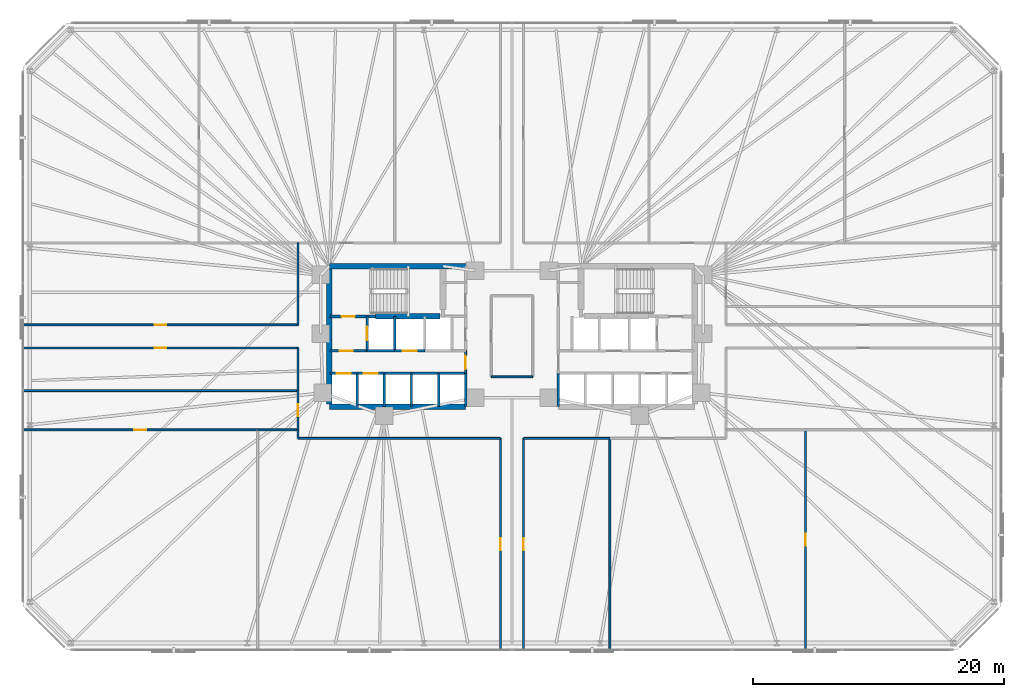
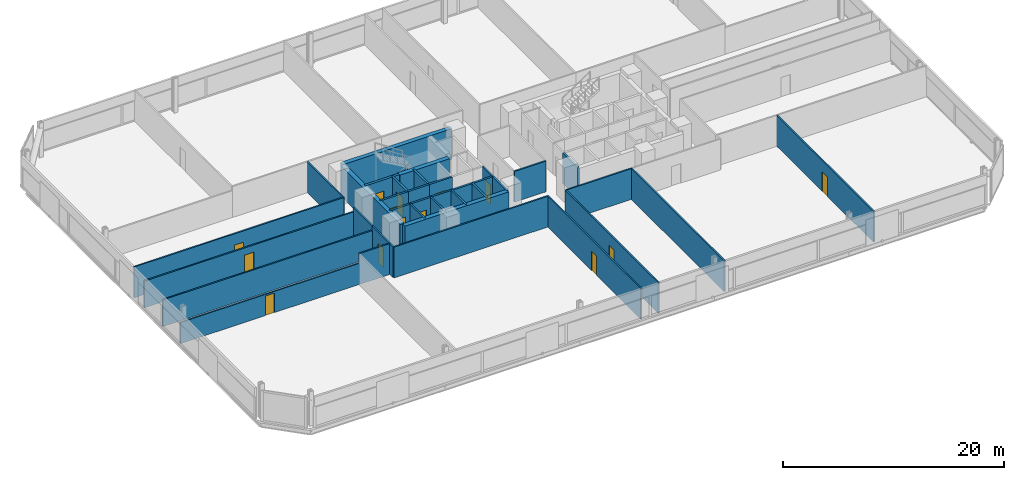
# One storey, part 12 of 17: 34 walls, 14 doors, 14 openings.
"""IFC4 building model written with IfcOpenShell, lengths in metres."""

import ifcopenshell
import ifcopenshell.guid

model = None  # the IFC model being written
_history = None  # IfcOwnerHistory: only IFC2X3 demands one
_inside = {}  # id of a spatial element -> (the spatial element, [elements in it])
_under = {}  # id of a project, library or spatial element -> (it, [spatial elements below it])
_declared = {}  # id of a project -> (the project, [libraries it declares])
_typed = {}  # id of a type object -> (the type object, [elements of that type])
_made_of = {}  # id of a material, layer set ... -> (it, [elements and type objects made of it])


def new_model(schema):
    """Start an empty IFC model of exactly this schema.

    Asked for "IFC4X3", IfcOpenShell would pick the latest addendum, in which some entities
    have other attributes; the version numbers below select the first issue.
    IFC2X3 requires an IfcOwnerHistory on every rooted entity: one is made here for all.
    """
    global model, _history
    if schema == "IFC4X3":
        model = ifcopenshell.file(schema_version=(4, 3, 0, 0))
    else:
        model = ifcopenshell.file(schema=schema)
    _inside.clear()
    _under.clear()
    _declared.clear()
    _typed.clear()
    _made_of.clear()
    _history = None
    if model.schema == "IFC2X3":
        org = make("IfcOrganization", Name="unknown")
        user = make(
            "IfcPersonAndOrganization",
            ThePerson=make("IfcPerson", FamilyName="unknown"),
            TheOrganization=org,
        )
        app = make(
            "IfcApplication",
            ApplicationDeveloper=org,
            Version="unknown",
            ApplicationFullName="unknown",
            ApplicationIdentifier="unknown",
        )
        _history = make(
            "IfcOwnerHistory",
            OwningUser=user,
            OwningApplication=app,
            ChangeAction="ADDED",
            CreationDate=0,
        )
    return model


def make(cls, **values):
    """One entity of the class cls with the attributes given. An attribute that is None is left unset."""
    return model.create_entity(
        cls, **{name: value for name, value in values.items() if value is not None}
    )


def rooted(cls, **values):
    """An entity with a GlobalId (a new one), such as an element, a storey or a relation."""
    return make(cls, GlobalId=ifcopenshell.guid.new(), OwnerHistory=_history, **values)


def si_unit(unit_type, name, prefix=None):
    """IfcSIUnit, for example si_unit("LENGTHUNIT", "METRE", prefix="MILLI")."""
    return make("IfcSIUnit", UnitType=unit_type, Prefix=prefix, Name=name)


def assignment(units):
    """IfcUnitAssignment: the units of a project."""
    return None if units is None else make("IfcUnitAssignment", Units=units)


def point(xyz):
    """IfcCartesianPoint."""
    return None if xyz is None else make("IfcCartesianPoint", Coordinates=xyz)


def direction(xyz):
    """IfcDirection."""
    return None if xyz is None else make("IfcDirection", DirectionRatios=xyz)


def frame(location, z_axis=None, x_axis=None):
    """IfcAxis2Placement3D, a coordinate frame: its origin and axes. An axis left out is left unset."""
    return make(
        "IfcAxis2Placement3D",
        Location=point(location),
        Axis=direction(z_axis),
        RefDirection=direction(x_axis),
    )


def frame_2d(location, x_axis=None):
    """IfcAxis2Placement2D, a coordinate frame in the plane: its origin and x axis."""
    return make(
        "IfcAxis2Placement2D", Location=point(location), RefDirection=direction(x_axis)
    )


def origin():
    """The frame at (0, 0, 0) with its axes left unset."""
    return frame((0.0, 0.0, 0.0))


def place(relative_to, where):
    """IfcLocalPlacement: puts the frame where relative to a parent placement (None: the world)."""
    return make(
        "IfcLocalPlacement", PlacementRelTo=relative_to, RelativePlacement=where
    )


def context(
    kind, dimensions, precision=None, world=None, true_north=None, identifier=None
):
    """IfcGeometricRepresentationContext, for example the 3D "Model" context."""
    return make(
        "IfcGeometricRepresentationContext",
        ContextIdentifier=identifier,
        ContextType=kind,
        CoordinateSpaceDimension=dimensions,
        Precision=precision,
        WorldCoordinateSystem=world,
        TrueNorth=true_north,
    )


def subcontext(parent, identifier, kind, view, scale=None):
    """IfcGeometricRepresentationSubContext, for example "Body" below "Model"."""
    return make(
        "IfcGeometricRepresentationSubContext",
        ContextIdentifier=identifier,
        ContextType=kind,
        ParentContext=parent,
        TargetScale=scale,
        TargetView=view,
    )


def project(units=None, contexts=None):
    """IfcProject with its units and contexts."""
    return rooted(
        "IfcProject",
        Name="project",
        RepresentationContexts=contexts,
        UnitsInContext=assignment(units),
    )


def spatial(cls, under=None, at=None, **own):
    """A site, building, storey or space (cls), placed at a placement, below another one or the project."""
    s = rooted(cls, ObjectPlacement=at, **own)
    if under is not None:
        _under.setdefault(under.id(), (under, []))[1].append(s)
    return s


def profile(cls, at=None, kind="AREA", **sizes):
    """A parametric profile (cls). Its sizes go by their IFC names, for example OverallWidth=200.0."""
    return make(cls, ProfileType=kind, Position=at, **sizes)


def rectangle(**sizes):
    """IfcRectangleProfileDef."""
    return profile("IfcRectangleProfileDef", **sizes)


def extrude(swept, where, along, depth):
    """IfcExtrudedAreaSolid: the profile swept, set in the frame where, extruded along a direction by depth."""
    return make(
        "IfcExtrudedAreaSolid",
        SweptArea=swept,
        Position=where,
        ExtrudedDirection=direction(along),
        Depth=depth,
    )


def shape(context_of_items, identifier, shape_type, items):
    """IfcShapeRepresentation: the items that make up one representation, for example the "Body"."""
    return make(
        "IfcShapeRepresentation",
        ContextOfItems=context_of_items,
        RepresentationIdentifier=identifier,
        RepresentationType=shape_type,
        Items=items,
    )


def material(Name=None, Category=None):
    """IfcMaterial."""
    return make("IfcMaterial", Name=Name, Category=Category)


def layer(
    of_material, thickness, ventilated=None, Name=None, Category=None, Priority=None
):
    """IfcMaterialLayer: one layer of a wall or slab, of a material (None: an air gap)."""
    return make(
        "IfcMaterialLayer",
        Material=of_material,
        LayerThickness=thickness,
        IsVentilated=ventilated,
        Name=Name,
        Category=Category,
        Priority=Priority,
    )


def layer_set(layers, Name=None):
    """IfcMaterialLayerSet."""
    return make("IfcMaterialLayerSet", MaterialLayers=layers, LayerSetName=Name)


def made_of(thing, what):
    """Note that an element or type object is made of a material, layer set ...; save() writes the relation."""
    if what is not None:
        _made_of.setdefault(what.id(), (what, []))[1].append(thing)
    return thing


def type_object(cls, material=None, **own):
    """A type object (cls), such as IfcWallType, which elements share."""
    return made_of(rooted(cls, **own), material)


def element(
    cls,
    number,
    at=None,
    inside=None,
    cuts=None,
    type_object=None,
    material=None,
    context=None,
    identifier="Body",
    shape_type=None,
    held_by="IfcProductDefinitionShape",
    body=None,
    shapes=None,
    **own,
):
    """One element of the class cls, such as IfcWall. Its Tag is "e" and its number.

    at: its placement. inside: the storey or other place that contains it. cuts: it is an
    opening in that element (IfcRelVoidsElement). A single representation is given by context,
    identifier, shape_type and body (its items); several are given by shapes. held_by: the class
    of the entity that holds the representations. save() writes the other relations.
    """
    e = rooted(cls, Tag="e%d" % number, ObjectPlacement=at, **own)
    if body is not None:
        shapes = [shape(context, identifier, shape_type, body)]
    if shapes is not None:
        e.Representation = make(held_by, Representations=shapes)
    if inside is not None:
        _inside.setdefault(inside.id(), (inside, []))[1].append(e)
    if cuts is not None:
        rooted(
            "IfcRelVoidsElement", RelatingBuildingElement=cuts, RelatedOpeningElement=e
        )
    if type_object is not None:
        _typed.setdefault(type_object.id(), (type_object, []))[1].append(e)
    return made_of(e, material)


def fill(opening, filler):
    """IfcRelFillsElement: the door or window that sits in an opening."""
    return rooted(
        "IfcRelFillsElement",
        RelatingOpeningElement=opening,
        RelatedBuildingElement=filler,
    )


def aggregate(whole, parts):
    """IfcRelAggregates: a whole, such as a stair, and the parts it consists of."""
    return rooted("IfcRelAggregates", RelatingObject=whole, RelatedObjects=parts)


def save(model, path):
    """Write the relations noted so far, then the file.

    IfcRelAggregates (storeys below a building ...), IfcRelContainedInSpatialStructure (elements
    in a storey), IfcRelDefinesByType, IfcRelAssociatesMaterial and IfcRelDeclares: one each for
    every whole, place, type object, material and project.
    """
    for whole, parts in _under.values():
        aggregate(whole, parts)
    for where, things in _inside.values():
        rooted(
            "IfcRelContainedInSpatialStructure",
            RelatedElements=things,
            RelatingStructure=where,
        )
    for kind, things in _typed.values():
        rooted("IfcRelDefinesByType", RelatedObjects=things, RelatingType=kind)
    for what, things in _made_of.values():
        rooted("IfcRelAssociatesMaterial", RelatedObjects=things, RelatingMaterial=what)
    for by, libraries in _declared.values():
        rooted("IfcRelDeclares", RelatingContext=by, RelatedDefinitions=libraries)
    model.write(path)


model = new_model("IFC4")

# Units and contexts
model_context = context("Model", 3, precision=1e-05, world=origin(), true_north=direction((0.0, 1.0)))
body_context = subcontext(model_context, "Body", "Model", "MODEL_VIEW")
ifc_project = project(units=[si_unit("LENGTHUNIT", "METRE"), si_unit("AREAUNIT", "SQUARE_METRE"), si_unit("VOLUMEUNIT", "CUBIC_METRE"), si_unit("PLANEANGLEUNIT", "RADIAN"), si_unit("MASSUNIT", "GRAM", prefix="KILO")], contexts=[model_context])

# Site, building, storey
site_placement = place(None, origin())
site = spatial("IfcSite", under=ifc_project, at=site_placement, CompositionType="ELEMENT")
building_placement = place(site_placement, origin())
building = spatial("IfcBuilding", under=site, at=building_placement, Name="Menara Jurai Vektor", CompositionType="ELEMENT")
storey_placement = place(building_placement, frame((0.0, 0.0, 75.0)))
storey = spatial("IfcBuildingStorey", under=building, at=storey_placement, Name="L18", CompositionType="ELEMENT", Elevation=75.0)

# Wall, opening, door
ifc_material_1 = material(Name="Concrete C40/50", Category="concrete")
ifc_layer_1 = layer(ifc_material_1, 0.25)
ifc_layer_set_1 = layer_set([ifc_layer_1], Name="Concrete C40/50")
wall_type_1 = type_object("IfcWallType", Name="INT-WALL-CORE-250", PredefinedType="STANDARD", material=ifc_layer_set_1)
wall_1_placement = place(storey_placement, frame((-14.5, 1.60009765625, 0.0), z_axis=(0.0, 0.0, 1.0), x_axis=(1.0, 0.0, 0.0)))
wall_1 = element("IfcWall", 1, at=wall_1_placement, inside=storey, type_object=wall_type_1, Name="Interior Wall IW-250 L18", PredefinedType="STANDARD", context=body_context, shape_type="SweptSolid", body=[
    extrude(rectangle(XDim=3.60009765625, YDim=0.25, at=frame_2d((1.800048828125, 0.0))), origin(), (0.0, 0.0, 1.0), 3.39990234375),
])
opening_1_placement = place(wall_1_placement, frame((0.919921875, 0.0, 0.0)))
opening_1 = element("IfcOpeningElement", 2, at=opening_1_placement, cuts=wall_1, Name="Opening D-L18-ST1", PredefinedType="OPENING", context=body_context, shape_type="SweptSolid", body=[
    extrude(rectangle(XDim=1.050048828125, YDim=2.14990234375, at=frame_2d((0.52490234375, 1.074951171875))), frame((0.0, 0.135009765625, 0.0), z_axis=(0.0, -1.0, 0.0), x_axis=(1.0, 0.0, 0.0)), (0.0, 0.0, 1.0), 0.27001953125),
])
ifc_material_2 = material(Name="Fire-Rated Steel Door", Category="steel")
door_type_1 = type_object("IfcDoorType", Name="DR-STAIR-1050", OperationType="NOTDEFINED", PredefinedType="DOOR", material=ifc_material_2)
door_1_placement = place(opening_1_placement, origin())
door_1 = element("IfcDoor", 3, at=door_1_placement, inside=storey, type_object=door_type_1, Name="Exit Stair ST1 Door L18", OperationType="SINGLE_SWING_RIGHT", OverallHeight=2.14990234375, OverallWidth=1.050048828125, PredefinedType="DOOR", context=body_context, shape_type="SweptSolid", body=[
    extrude(rectangle(XDim=1.050048828125, YDim=2.14990234375, at=frame_2d((0.52490234375, 1.074951171875))), frame((0.0, 0.02490234375, 0.0), z_axis=(0.0, -1.0, 0.0), x_axis=(1.0, 0.0, 0.0)), (0.0, 0.0, 1.0), 0.050048828125),
])
fill(opening_1, door_1)

wall_2_placement = place(storey_placement, frame((-11.550048828125, -1.14990234375, 0.0), z_axis=(0.0, 0.0, 1.0), x_axis=(0.0, 1.0, 0.0)))
wall_2 = element("IfcWall", 4, at=wall_2_placement, inside=storey, type_object=wall_type_1, Name="Interior Wall IW-250 L18", PredefinedType="STANDARD", context=body_context, shape_type="SweptSolid", body=[
    extrude(rectangle(XDim=2.75, YDim=0.199951171875, at=frame_2d((1.375, 0.0))), origin(), (0.0, 0.0, 1.0), 3.39990234375),
])
opening_2_placement = place(wall_2_placement, frame((0.824951171875, 0.0, 0.0)))
opening_2 = element("IfcOpeningElement", 5, at=opening_2_placement, cuts=wall_2, Name="Opening LD-L18-FL1", PredefinedType="OPENING", context=body_context, shape_type="SweptSolid", body=[
    extrude(rectangle(XDim=1.10009765625, YDim=2.14990234375, at=frame_2d((0.550048828125, 1.074951171875))), frame((0.0, 0.10986328125, 0.0), z_axis=(0.0, -1.0, 0.0), x_axis=(1.0, 0.0, 0.0)), (0.0, 0.0, 1.0), 0.219970703125),
])
ifc_material_3 = material(Name="Stainless Steel Sliding Lift Landing Door", Category="steel")
door_type_2 = type_object("IfcDoorType", Name="DR-LIFT-FIRE-1100", OperationType="NOTDEFINED", PredefinedType="DOOR", material=ifc_material_3)
door_2_placement = place(opening_2_placement, origin())
door_2 = element("IfcDoor", 6, at=door_2_placement, inside=storey, type_object=door_type_2, Name="Lift Landing Door FL1 L18", OperationType="SLIDING_TO_RIGHT", OverallHeight=2.14990234375, OverallWidth=1.10009765625, PredefinedType="DOOR", context=body_context, shape_type="SweptSolid", body=[
    extrude(rectangle(XDim=1.10009765625, YDim=2.14990234375, at=frame_2d((0.550048828125, 1.074951171875))), frame((0.0, 0.02490234375, 0.0), z_axis=(0.0, -1.0, 0.0), x_axis=(1.0, 0.0, 0.0)), (0.0, 0.0, 1.0), 0.050048828125),
])
fill(opening_2, door_2)

# Wall
wall_3_placement = place(storey_placement, frame((-9.35009765625, -1.14990234375, 0.0), z_axis=(0.0, 0.0, 1.0), x_axis=(0.0, 1.0, 0.0)))
element("IfcWall", 7, at=wall_3_placement, inside=storey, type_object=wall_type_1, Name="Interior Wall IW-250 L18", PredefinedType="STANDARD", context=body_context, shape_type="SweptSolid", body=[
    extrude(rectangle(XDim=2.75, YDim=0.199951171875, at=frame_2d((1.375, 0.0))), origin(), (0.0, 0.0, 1.0), 3.39990234375),
])

# Wall, opening, door
wall_4_placement = place(storey_placement, frame((-14.5, -1.14990234375, 0.0), z_axis=(0.0, 0.0, 1.0), x_axis=(1.0, 0.0, 0.0)))
wall_4 = element("IfcWall", 8, at=wall_4_placement, inside=storey, type_object=wall_type_1, Name="Interior Wall IW-250 L18", PredefinedType="STANDARD", context=body_context, shape_type="SweptSolid", body=[
    extrude(rectangle(XDim=2.949951171875, YDim=0.199951171875, at=frame_2d((1.47509765625, 0.0))), origin(), (0.0, 0.0, 1.0), 3.39990234375),
])
opening_3_placement = place(wall_4_placement, frame((0.75, 0.0, 0.0)))
opening_3 = element("IfcOpeningElement", 9, at=opening_3_placement, cuts=wall_4, Name="Opening D-L18-FFW", PredefinedType="OPENING", context=body_context, shape_type="SweptSolid", body=[
    extrude(rectangle(XDim=1.050048828125, YDim=2.179931640625, at=frame_2d((0.52490234375, 1.08984375))), frame((0.0, 0.10986328125, 0.0), z_axis=(0.0, -1.0, 0.0), x_axis=(1.0, 0.0, 0.0)), (0.0, 0.0, 1.0), 0.219970703125),
])
ifc_material_4 = material(Name="Fire-Rated Timber Door", Category="wood")
door_type_3 = type_object("IfcDoorType", Name="DR-LOBBY-1050", OperationType="NOTDEFINED", PredefinedType="DOOR", material=ifc_material_4)
door_3_placement = place(opening_3_placement, origin())
door_3 = element("IfcDoor", 10, at=door_3_placement, inside=storey, type_object=door_type_3, Name="Fire Lift Lobby Door W L18", OperationType="SINGLE_SWING_RIGHT", OverallHeight=2.179931640625, OverallWidth=1.050048828125, PredefinedType="DOOR", context=body_context, shape_type="SweptSolid", body=[
    extrude(rectangle(XDim=1.050048828125, YDim=2.179931640625, at=frame_2d((0.52490234375, 1.08984375))), frame((0.0, 0.02490234375, 0.0), z_axis=(0.0, -1.0, 0.0), x_axis=(1.0, 0.0, 0.0)), (0.0, 0.0, 1.0), 0.050048828125),
])
fill(opening_3, door_3)

# Wall
wall_5_placement = place(storey_placement, frame((-11.550048828125, -1.14990234375, 0.0), z_axis=(0.0, 0.0, 1.0), x_axis=(1.0, 0.0, 0.0)))
element("IfcWall", 11, at=wall_5_placement, inside=storey, type_object=wall_type_1, Name="Interior Wall IW-250 L18", PredefinedType="STANDARD", context=body_context, shape_type="SweptSolid", body=[
    extrude(rectangle(XDim=2.199951171875, YDim=0.199951171875, at=frame_2d((1.10009765625, 0.0))), origin(), (0.0, 0.0, 1.0), 3.39990234375),
])

# Wall, opening, door
ifc_material_5 = material(Name="Gypsum Fireboard Partition", Category="gypsum")
ifc_layer_2 = layer(ifc_material_5, 0.14990234375)
ifc_layer_set_2 = layer_set([ifc_layer_2], Name="Gypsum Fireboard Partition")
wall_type_2 = type_object("IfcWallType", Name="INT-WALL-CORR-150", PredefinedType="PARTITIONING", material=ifc_layer_set_2)
wall_6_placement = place(storey_placement, frame((-3.699951171875, -2.949951171875, 0.0), z_axis=(0.0, 0.0, 1.0), x_axis=(0.0, 1.0, 0.0)))
wall_6 = element("IfcWall", 12, at=wall_6_placement, inside=storey, type_object=wall_type_2, Name="Interior Wall IW-150 L18", PredefinedType="PARTITIONING", context=body_context, shape_type="SweptSolid", body=[
    extrude(rectangle(XDim=1.800048828125, YDim=0.14990234375, at=frame_2d((0.89990234375, 0.0))), origin(), (0.0, 0.0, 1.0), 3.39990234375),
])
opening_4_placement = place(wall_6_placement, frame((0.35009765625, 0.0, 0.0)))
opening_4 = element("IfcOpeningElement", 13, at=opening_4_placement, cuts=wall_6, Name="Opening D-L18-LLW", PredefinedType="OPENING", context=body_context, shape_type="SweptSolid", body=[
    extrude(rectangle(XDim=1.050048828125, YDim=2.179931640625, at=frame_2d((0.52490234375, 1.08984375))), frame((0.0, 0.0849609375, 0.0), z_axis=(0.0, -1.0, 0.0), x_axis=(1.0, 0.0, 0.0)), (0.0, 0.0, 1.0), 0.169921875),
])
door_4_placement = place(opening_4_placement, origin())
door_4 = element("IfcDoor", 14, at=door_4_placement, inside=storey, type_object=door_type_3, Name="Lift Lobby Corridor Door W L18", OperationType="SINGLE_SWING_LEFT", OverallHeight=2.179931640625, OverallWidth=1.050048828125, PredefinedType="DOOR", context=body_context, shape_type="SweptSolid", body=[
    extrude(rectangle(XDim=1.050048828125, YDim=2.179931640625, at=frame_2d((0.52490234375, 1.08984375))), frame((0.0, 0.02490234375, 0.0), z_axis=(0.0, -1.0, 0.0), x_axis=(1.0, 0.0, 0.0)), (0.0, 0.0, 1.0), 0.050048828125),
])
fill(opening_4, door_4)

# Walls
wall_7_placement = place(storey_placement, frame((-1.64990234375, -3.22998046875, 0.0), z_axis=(0.0, 0.0, 1.0), x_axis=(1.0, 0.0, 0.0)))
element("IfcWall", 15, at=wall_7_placement, inside=storey, type_object=wall_type_2, Name="Interior Wall IW-150 L18", PredefinedType="PARTITIONING", context=body_context, shape_type="SweptSolid", body=[
    extrude(rectangle(XDim=3.2998046875, YDim=0.14990234375, at=frame_2d((1.64990234375, 0.0))), origin(), (0.0, 0.0, 1.0), 3.39990234375),
])
wall_8_placement = place(storey_placement, frame((-17.05908203125, -8.1298828125, 0.0), z_axis=(0.0, 0.0, 1.0), x_axis=(0.0, 1.0, 0.0)))
element("IfcWall", 16, at=wall_8_placement, inside=storey, type_object=wall_type_2, Name="Interior Wall IW-150 L18", PredefinedType="PARTITIONING", context=body_context, shape_type="SweptSolid", body=[
    extrude(rectangle(XDim=0.679931640625, YDim=0.14990234375, at=frame_2d((0.33984375, 0.0))), origin(), (0.0, 0.0, 1.0), 3.39990234375),
])
wall_9_placement = place(storey_placement, frame((-17.05908203125, -8.1298828125, 0.0), z_axis=(0.0, 0.0, 1.0), x_axis=(1.0, 0.0, 0.0)))
element("IfcWall", 17, at=wall_9_placement, inside=storey, type_object=wall_type_2, Name="Interior Wall IW-150 L18", PredefinedType="PARTITIONING", context=body_context, shape_type="SweptSolid", body=[
    extrude(rectangle(XDim=16.13916015625, YDim=0.14990234375, at=frame_2d((8.069580078125, 0.0))), origin(), (0.0, 0.0, 1.0), 3.39990234375),
])

# Wall, opening, door
wall_10_placement = place(storey_placement, frame((-0.919921875, -25.0, 0.0), z_axis=(0.0, 0.0, 1.0), x_axis=(0.0, 1.0, 0.0)))
wall_10 = element("IfcWall", 18, at=wall_10_placement, inside=storey, type_object=wall_type_2, Name="Interior Wall IW-150 L18", PredefinedType="PARTITIONING", context=body_context, shape_type="SweptSolid", body=[
    extrude(rectangle(XDim=16.8701171875, YDim=0.14990234375, at=frame_2d((8.43505859375, 0.0))), origin(), (0.0, 0.0, 1.0), 3.39990234375),
])
opening_5_placement = place(wall_10_placement, frame((7.9599609375, 0.0, 0.0)))
opening_5 = element("IfcOpeningElement", 19, at=opening_5_placement, cuts=wall_10, Name="Opening D18-09", PredefinedType="OPENING", context=body_context, shape_type="SweptSolid", body=[
    extrude(rectangle(XDim=0.949951171875, YDim=2.14990234375, at=frame_2d((0.47509765625, 1.074951171875))), frame((0.0, 0.0849609375, 0.0), z_axis=(0.0, -1.0, 0.0), x_axis=(1.0, 0.0, 0.0)), (0.0, 0.0, 1.0), 0.169921875),
])
ifc_material_6 = material(Name="Solid Core Timber Fire Door", Category="wood")
door_type_4 = type_object("IfcDoorType", Name="DR-ENTRY-950", OperationType="NOTDEFINED", PredefinedType="DOOR", material=ifc_material_6)
door_5_placement = place(opening_5_placement, origin())
door_5 = element("IfcDoor", 20, at=door_5_placement, inside=storey, type_object=door_type_4, Name="Interior Door D18-09", OperationType="SINGLE_SWING_RIGHT", OverallHeight=2.14990234375, OverallWidth=0.949951171875, PredefinedType="DOOR", context=body_context, shape_type="SweptSolid", body=[
    extrude(rectangle(XDim=0.949951171875, YDim=2.14990234375, at=frame_2d((0.47509765625, 1.074951171875))), frame((0.0, 0.02490234375, 0.0), z_axis=(0.0, -1.0, 0.0), x_axis=(1.0, 0.0, 0.0)), (0.0, 0.0, 1.0), 0.050048828125),
])
fill(opening_5, door_5)

wall_11_placement = place(storey_placement, frame((0.919921875, -25.0, 0.0), z_axis=(0.0, 0.0, 1.0), x_axis=(0.0, 1.0, 0.0)))
wall_11 = element("IfcWall", 21, at=wall_11_placement, inside=storey, type_object=wall_type_2, Name="Interior Wall IW-150 L18", PredefinedType="PARTITIONING", context=body_context, shape_type="SweptSolid", body=[
    extrude(rectangle(XDim=16.8701171875, YDim=0.14990234375, at=frame_2d((8.43505859375, 0.0))), origin(), (0.0, 0.0, 1.0), 3.39990234375),
])
opening_6_placement = place(wall_11_placement, frame((7.9599609375, 0.0, 0.0)))
opening_6 = element("IfcOpeningElement", 22, at=opening_6_placement, cuts=wall_11, Name="Opening D18-10", PredefinedType="OPENING", context=body_context, shape_type="SweptSolid", body=[
    extrude(rectangle(XDim=0.949951171875, YDim=2.14990234375, at=frame_2d((0.47509765625, 1.074951171875))), frame((0.0, 0.0849609375, 0.0), z_axis=(0.0, -1.0, 0.0), x_axis=(1.0, 0.0, 0.0)), (0.0, 0.0, 1.0), 0.169921875),
])
door_6_placement = place(opening_6_placement, origin())
door_6 = element("IfcDoor", 23, at=door_6_placement, inside=storey, type_object=door_type_4, Name="Interior Door D18-10", OperationType="SINGLE_SWING_LEFT", OverallHeight=2.14990234375, OverallWidth=0.949951171875, PredefinedType="DOOR", context=body_context, shape_type="SweptSolid", body=[
    extrude(rectangle(XDim=0.949951171875, YDim=2.14990234375, at=frame_2d((0.47509765625, 1.074951171875))), frame((0.0, 0.02490234375, 0.0), z_axis=(0.0, -1.0, 0.0), x_axis=(1.0, 0.0, 0.0)), (0.0, 0.0, 1.0), 0.050048828125),
])
fill(opening_6, door_6)

# Wall
wall_12_placement = place(storey_placement, frame((0.919921875, -8.1298828125, 0.0), z_axis=(0.0, 0.0, 1.0), x_axis=(1.0, 0.0, 0.0)))
element("IfcWall", 24, at=wall_12_placement, inside=storey, type_object=wall_type_2, Name="Interior Wall IW-150 L18", PredefinedType="PARTITIONING", context=body_context, shape_type="SweptSolid", body=[
    extrude(rectangle(XDim=6.880126953125, YDim=0.14990234375, at=frame_2d((3.43994140625, 0.0))), origin(), (0.0, 0.0, 1.0), 3.39990234375),
])

# Wall, opening, door
wall_13_placement = place(storey_placement, frame((-17.05908203125, -7.449951171875, 0.0), z_axis=(0.0, 0.0, 1.0), x_axis=(0.0, 1.0, 0.0)))
wall_13 = element("IfcWall", 25, at=wall_13_placement, inside=storey, type_object=wall_type_2, Name="Interior Wall IW-150 L18", PredefinedType="PARTITIONING", context=body_context, shape_type="SweptSolid", body=[
    extrude(rectangle(XDim=3.12890625, YDim=0.14990234375, at=frame_2d((1.564453125, 0.0))), origin(), (0.0, 0.0, 1.0), 3.39990234375),
])
opening_7_placement = place(wall_13_placement, frame((1.089599609375, 0.0, 0.0)))
opening_7 = element("IfcOpeningElement", 26, at=opening_7_placement, cuts=wall_13, Name="Opening D18-12", PredefinedType="OPENING", context=body_context, shape_type="SweptSolid", body=[
    extrude(rectangle(XDim=0.949951171875, YDim=2.14990234375, at=frame_2d((0.47509765625, 1.074951171875))), frame((0.0, 0.0849609375, 0.0), z_axis=(0.0, -1.0, 0.0), x_axis=(1.0, 0.0, 0.0)), (0.0, 0.0, 1.0), 0.169921875),
])
door_7_placement = place(opening_7_placement, origin())
door_7 = element("IfcDoor", 27, at=door_7_placement, inside=storey, type_object=door_type_4, Name="Interior Door D18-12", OperationType="SINGLE_SWING_LEFT", OverallHeight=2.14990234375, OverallWidth=0.949951171875, PredefinedType="DOOR", context=body_context, shape_type="SweptSolid", body=[
    extrude(rectangle(XDim=0.949951171875, YDim=2.14990234375, at=frame_2d((0.47509765625, 1.074951171875))), frame((0.0, 0.02490234375, 0.0), z_axis=(0.0, -1.0, 0.0), x_axis=(1.0, 0.0, 0.0)), (0.0, 0.0, 1.0), 0.050048828125),
])
fill(opening_7, door_7)

# Wall
wall_14_placement = place(storey_placement, frame((-17.05908203125, -4.321044921875, 0.0), z_axis=(0.0, 0.0, 1.0), x_axis=(0.0, 1.0, 0.0)))
element("IfcWall", 28, at=wall_14_placement, inside=storey, type_object=wall_type_2, Name="Interior Wall IW-150 L18", PredefinedType="PARTITIONING", context=body_context, shape_type="SweptSolid", body=[
    extrude(rectangle(XDim=3.401123046875, YDim=0.14990234375, at=frame_2d((1.70068359375, 0.0))), origin(), (0.0, 0.0, 1.0), 3.39990234375),
])

# Wall, opening, door
wall_15_placement = place(storey_placement, frame((-39.0, 0.919921875, 0.0), z_axis=(0.0, 0.0, 1.0), x_axis=(1.0, 0.0, 0.0)))
wall_15 = element("IfcWall", 29, at=wall_15_placement, inside=storey, type_object=wall_type_2, Name="Interior Wall IW-150 L18", PredefinedType="PARTITIONING", context=body_context, shape_type="SweptSolid", body=[
    extrude(rectangle(XDim=21.94091796875, YDim=0.14990234375, at=frame_2d((10.970458984375, 0.0))), origin(), (0.0, 0.0, 1.0), 3.39990234375),
])
opening_8_placement = place(wall_15_placement, frame((10.49560546875, 0.0, 0.0)))
opening_8 = element("IfcOpeningElement", 30, at=opening_8_placement, cuts=wall_15, Name="Opening D18-14", PredefinedType="OPENING", context=body_context, shape_type="SweptSolid", body=[
    extrude(rectangle(XDim=0.949951171875, YDim=2.14990234375, at=frame_2d((0.47509765625, 1.074951171875))), frame((0.0, 0.0849609375, 0.0), z_axis=(0.0, -1.0, 0.0), x_axis=(1.0, 0.0, 0.0)), (0.0, 0.0, 1.0), 0.169921875),
])
door_8_placement = place(opening_8_placement, origin())
door_8 = element("IfcDoor", 31, at=door_8_placement, inside=storey, type_object=door_type_4, Name="Interior Door D18-14", OperationType="SINGLE_SWING_LEFT", OverallHeight=2.14990234375, OverallWidth=0.949951171875, PredefinedType="DOOR", context=body_context, shape_type="SweptSolid", body=[
    extrude(rectangle(XDim=0.949951171875, YDim=2.14990234375, at=frame_2d((0.47509765625, 1.074951171875))), frame((0.0, 0.02490234375, 0.0), z_axis=(0.0, -1.0, 0.0), x_axis=(1.0, 0.0, 0.0)), (0.0, 0.0, 1.0), 0.050048828125),
])
fill(opening_8, door_8)

# Walls
wall_16_placement = place(storey_placement, frame((-17.05908203125, 0.919921875, 0.0), z_axis=(0.0, 0.0, 1.0), x_axis=(0.0, 1.0, 0.0)))
element("IfcWall", 32, at=wall_16_placement, inside=storey, type_object=wall_type_2, Name="Interior Wall IW-150 L18", PredefinedType="PARTITIONING", context=body_context, shape_type="SweptSolid", body=[
    extrude(rectangle(XDim=6.530029296875, YDim=0.14990234375, at=frame_2d((3.26513671875, 0.0))), origin(), (0.0, 0.0, 1.0), 3.39990234375),
])
wall_17_placement = place(storey_placement, frame((-20.280029296875, -7.449951171875, 0.0), z_axis=(0.0, 0.0, 1.0), x_axis=(1.0, 0.0, 0.0)))
element("IfcWall", 33, at=wall_17_placement, inside=storey, type_object=wall_type_2, Name="Interior Wall IW-150 L18", PredefinedType="PARTITIONING", context=body_context, shape_type="SweptSolid", body=[
    extrude(rectangle(XDim=3.220947265625, YDim=0.14990234375, at=frame_2d((1.6103515625, 0.0))), origin(), (0.0, 0.0, 1.0), 3.39990234375),
])
wall_18_placement = place(storey_placement, frame((7.800048828125, -25.0, 0.0), z_axis=(0.0, 0.0, 1.0), x_axis=(0.0, 1.0, 0.0)))
element("IfcWall", 34, at=wall_18_placement, inside=storey, type_object=wall_type_2, Name="Interior Wall IW-150 L18", PredefinedType="PARTITIONING", context=body_context, shape_type="SweptSolid", body=[
    extrude(rectangle(XDim=16.8701171875, YDim=0.14990234375, at=frame_2d((8.43505859375, 0.0))), origin(), (0.0, 0.0, 1.0), 3.39990234375),
])

# Wall, opening, door
wall_19_placement = place(storey_placement, frame((23.39990234375, -25.0, 0.0), z_axis=(0.0, 0.0, 1.0), x_axis=(0.0, 1.0, 0.0)))
wall_19 = element("IfcWall", 35, at=wall_19_placement, inside=storey, type_object=wall_type_2, Name="Interior Wall IW-150 L18", PredefinedType="PARTITIONING", context=body_context, shape_type="SweptSolid", body=[
    extrude(rectangle(XDim=17.550048828125, YDim=0.14990234375, at=frame_2d((8.77490234375, 0.0))), origin(), (0.0, 0.0, 1.0), 3.39990234375),
])
opening_9_placement = place(wall_19_placement, frame((8.300048828125, 0.0, 0.0)))
opening_9 = element("IfcOpeningElement", 36, at=opening_9_placement, cuts=wall_19, Name="Opening D18-21", PredefinedType="OPENING", context=body_context, shape_type="SweptSolid", body=[
    extrude(rectangle(XDim=0.949951171875, YDim=2.14990234375, at=frame_2d((0.47509765625, 1.074951171875))), frame((0.0, 0.0849609375, 0.0), z_axis=(0.0, -1.0, 0.0), x_axis=(1.0, 0.0, 0.0)), (0.0, 0.0, 1.0), 0.169921875),
])
door_9_placement = place(opening_9_placement, origin())
door_9 = element("IfcDoor", 37, at=door_9_placement, inside=storey, type_object=door_type_4, Name="Interior Door D18-21", OperationType="SINGLE_SWING_RIGHT", OverallHeight=2.14990234375, OverallWidth=0.949951171875, PredefinedType="DOOR", context=body_context, shape_type="SweptSolid", body=[
    extrude(rectangle(XDim=0.949951171875, YDim=2.14990234375, at=frame_2d((0.47509765625, 1.074951171875))), frame((0.0, 0.02490234375, 0.0), z_axis=(0.0, -1.0, 0.0), x_axis=(1.0, 0.0, 0.0)), (0.0, 0.0, 1.0), 0.050048828125),
])
fill(opening_9, door_9)

ifc_layer_3 = layer(ifc_material_5, 0.14990234375)
ifc_layer_set_3 = layer_set([ifc_layer_3], Name="Gypsum Fireboard Partition")
wall_type_3 = type_object("IfcWallType", Name="INT-WALL-CORR-150-H1", PredefinedType="PARTITIONING", material=ifc_layer_set_3)
wall_20_placement = place(storey_placement, frame((-39.0, -0.919921875, 0.0), z_axis=(0.0, 0.0, 1.0), x_axis=(1.0, 0.0, 0.0)))
wall_20 = element("IfcWall", 38, at=wall_20_placement, inside=storey, type_object=wall_type_3, Name="Interior Wall IW-150 L18", PredefinedType="PARTITIONING", context=body_context, shape_type="SweptSolid", body=[
    extrude(rectangle(XDim=21.94091796875, YDim=0.14990234375, at=frame_2d((10.970458984375, 0.0))), origin(), (0.0, 0.0, 1.0), 2.949951171875),
])
opening_10_placement = place(wall_20_placement, frame((10.49560546875, 0.0, 0.0)))
opening_10 = element("IfcOpeningElement", 39, at=opening_10_placement, cuts=wall_20, Name="Opening D18-13", PredefinedType="OPENING", context=body_context, shape_type="SweptSolid", body=[
    extrude(rectangle(XDim=0.949951171875, YDim=2.14990234375, at=frame_2d((0.47509765625, 1.074951171875))), frame((0.0, 0.0849609375, 0.0), z_axis=(0.0, -1.0, 0.0), x_axis=(1.0, 0.0, 0.0)), (0.0, 0.0, 1.0), 0.169921875),
])
door_10_placement = place(opening_10_placement, origin())
door_10 = element("IfcDoor", 40, at=door_10_placement, inside=storey, type_object=door_type_4, Name="Interior Door D18-13", OperationType="SINGLE_SWING_RIGHT", OverallHeight=2.14990234375, OverallWidth=0.949951171875, PredefinedType="DOOR", context=body_context, shape_type="SweptSolid", body=[
    extrude(rectangle(XDim=0.949951171875, YDim=2.14990234375, at=frame_2d((0.47509765625, 1.074951171875))), frame((0.0, 0.02490234375, 0.0), z_axis=(0.0, -1.0, 0.0), x_axis=(1.0, 0.0, 0.0)), (0.0, 0.0, 1.0), 0.050048828125),
])
fill(opening_10, door_10)

# Wall
wall_21_placement = place(storey_placement, frame((-39.0, -4.321044921875, 0.0), z_axis=(0.0, 0.0, 1.0), x_axis=(1.0, 0.0, 0.0)))
element("IfcWall", 41, at=wall_21_placement, inside=storey, type_object=wall_type_3, Name="Interior Wall IW-150 L18", PredefinedType="PARTITIONING", context=body_context, shape_type="SweptSolid", body=[
    extrude(rectangle(XDim=21.94091796875, YDim=0.14990234375, at=frame_2d((10.970458984375, 0.0))), origin(), (0.0, 0.0, 1.0), 2.949951171875),
])

# Wall, opening, door
ifc_layer_4 = layer(ifc_material_5, 0.14990234375)
ifc_layer_set_4 = layer_set([ifc_layer_4], Name="Gypsum Fireboard Partition")
wall_type_4 = type_object("IfcWallType", Name="INT-WALL-CORR-150-H4", PredefinedType="PARTITIONING", material=ifc_layer_set_4)
wall_22_placement = place(storey_placement, frame((-39.0, -7.449951171875, 0.0), z_axis=(0.0, 0.0, 1.0), x_axis=(1.0, 0.0, 0.0)))
wall_22 = element("IfcWall", 42, at=wall_22_placement, inside=storey, type_object=wall_type_4, Name="Interior Wall IW-150 L18", PredefinedType="PARTITIONING", context=body_context, shape_type="SweptSolid", body=[
    extrude(rectangle(XDim=18.719970703125, YDim=0.14990234375, at=frame_2d((9.35986328125, 0.0))), origin(), (0.0, 0.0, 1.0), 2.340087890625),
])
opening_11_placement = place(wall_22_placement, frame((8.885009765625, 0.0, 0.0)))
opening_11 = element("IfcOpeningElement", 43, at=opening_11_placement, cuts=wall_22, Name="Opening D18-20", PredefinedType="OPENING", context=body_context, shape_type="SweptSolid", body=[
    extrude(rectangle(XDim=0.949951171875, YDim=2.14990234375, at=frame_2d((0.47509765625, 1.074951171875))), frame((0.0, 0.0849609375, 0.0), z_axis=(0.0, -1.0, 0.0), x_axis=(1.0, 0.0, 0.0)), (0.0, 0.0, 1.0), 0.169921875),
])
door_11_placement = place(opening_11_placement, origin())
door_11 = element("IfcDoor", 44, at=door_11_placement, inside=storey, type_object=door_type_4, Name="Interior Door D18-20", OperationType="SINGLE_SWING_LEFT", OverallHeight=2.14990234375, OverallWidth=0.949951171875, PredefinedType="DOOR", context=body_context, shape_type="SweptSolid", body=[
    extrude(rectangle(XDim=0.949951171875, YDim=2.14990234375, at=frame_2d((0.47509765625, 1.074951171875))), frame((0.0, 0.02490234375, 0.0), z_axis=(0.0, -1.0, 0.0), x_axis=(1.0, 0.0, 0.0)), (0.0, 0.0, 1.0), 0.050048828125),
])
fill(opening_11, door_11)

# Wall
ifc_layer_5 = layer(ifc_material_1, 0.199951171875)
ifc_layer_set_5 = layer_set([ifc_layer_5], Name="Concrete C40/50")
wall_type_5 = type_object("IfcWallType", Name="INT-WALL-SHAFT-200", PredefinedType="STANDARD", material=ifc_layer_set_5)
wall_23_placement = place(storey_placement, frame((-3.699951171875, -5.60009765625, 0.0), z_axis=(0.0, 0.0, 1.0), x_axis=(0.0, 1.0, 0.0)))
element("IfcWall", 45, at=wall_23_placement, inside=storey, type_object=wall_type_5, Name="Interior Wall IW-200 L18", PredefinedType="STANDARD", context=body_context, shape_type="SweptSolid", body=[
    extrude(rectangle(XDim=2.650146484375, YDim=0.199951171875, at=frame_2d((1.3251953125, 0.0))), origin(), (0.0, 0.0, 1.0), 3.39990234375),
])

# Wall, opening, door
wall_24_placement = place(storey_placement, frame((-9.35009765625, -1.14990234375, 0.0), z_axis=(0.0, 0.0, 1.0), x_axis=(1.0, 0.0, 0.0)))
wall_24 = element("IfcWall", 46, at=wall_24_placement, inside=storey, type_object=wall_type_5, Name="Interior Wall IW-200 L18", PredefinedType="STANDARD", context=body_context, shape_type="SweptSolid", body=[
    extrude(rectangle(XDim=2.400146484375, YDim=0.199951171875, at=frame_2d((1.2001953125, 0.0))), origin(), (0.0, 0.0, 1.0), 3.39990234375),
])
opening_12_placement = place(wall_24_placement, frame((0.64990234375, 0.0, 0.0)))
opening_12 = element("IfcOpeningElement", 47, at=opening_12_placement, cuts=wall_24, Name="Opening LD-L18-SVL1", PredefinedType="OPENING", context=body_context, shape_type="SweptSolid", body=[
    extrude(rectangle(XDim=1.10009765625, YDim=2.14990234375, at=frame_2d((0.550048828125, 1.074951171875))), frame((0.0, 0.10986328125, 0.0), z_axis=(0.0, -1.0, 0.0), x_axis=(1.0, 0.0, 0.0)), (0.0, 0.0, 1.0), 0.219970703125),
])
ifc_material_7 = material(Name="Anodised Stainless Sliding Lift Landing Door", Category="steel")
door_type_5 = type_object("IfcDoorType", Name="DR-LIFT-PASS-1100", OperationType="NOTDEFINED", PredefinedType="DOOR", material=ifc_material_7)
door_12_placement = place(opening_12_placement, origin())
door_12 = element("IfcDoor", 48, at=door_12_placement, inside=storey, type_object=door_type_5, Name="Lift Landing Door SVL1 L18", OperationType="SLIDING_TO_RIGHT", OverallHeight=2.14990234375, OverallWidth=1.10009765625, PredefinedType="DOOR", context=body_context, shape_type="SweptSolid", body=[
    extrude(rectangle(XDim=1.10009765625, YDim=2.14990234375, at=frame_2d((0.550048828125, 1.074951171875))), frame((0.0, 0.02490234375, 0.0), z_axis=(0.0, -1.0, 0.0), x_axis=(1.0, 0.0, 0.0)), (0.0, 0.0, 1.0), 0.050048828125),
])
fill(opening_12, door_12)

# Wall, openings, doors
wall_25_placement = place(storey_placement, frame((-14.5, -2.949951171875, 0.0), z_axis=(0.0, 0.0, 1.0), x_axis=(1.0, 0.0, 0.0)))
wall_25 = element("IfcWall", 49, at=wall_25_placement, inside=storey, type_object=wall_type_5, Name="Interior Wall IW-200 L18", PredefinedType="STANDARD", context=body_context, shape_type="SweptSolid", body=[
    extrude(rectangle(XDim=10.800048828125, YDim=0.199951171875, at=frame_2d((5.39990234375, 0.0))), origin(), (0.0, 0.0, 1.0), 3.39990234375),
])
opening_13_placement = place(wall_25_placement, frame((0.530029296875, 0.0, 0.0)))
opening_13 = element("IfcOpeningElement", 50, at=opening_13_placement, cuts=wall_25, Name="Opening LD-L18-PL1", PredefinedType="OPENING", context=body_context, shape_type="SweptSolid", body=[
    extrude(rectangle(XDim=1.10009765625, YDim=2.14990234375, at=frame_2d((0.550048828125, 1.074951171875))), frame((0.0, 0.10986328125, 0.0), z_axis=(0.0, -1.0, 0.0), x_axis=(1.0, 0.0, 0.0)), (0.0, 0.0, 1.0), 0.219970703125),
])
opening_14_placement = place(wall_25_placement, frame((2.68994140625, 0.0, 0.0)))
opening_14 = element("IfcOpeningElement", 51, at=opening_14_placement, cuts=wall_25, Name="Opening LD-L18-PL2", PredefinedType="OPENING", context=body_context, shape_type="SweptSolid", body=[
    extrude(rectangle(XDim=1.10009765625, YDim=2.14990234375, at=frame_2d((0.550048828125, 1.074951171875))), frame((0.0, 0.10986328125, 0.0), z_axis=(0.0, -1.0, 0.0), x_axis=(1.0, 0.0, 0.0)), (0.0, 0.0, 1.0), 0.219970703125),
])
door_13_placement = place(opening_13_placement, origin())
door_13 = element("IfcDoor", 52, at=door_13_placement, inside=storey, type_object=door_type_5, Name="Lift Landing Door PL1 L18", OperationType="SLIDING_TO_RIGHT", OverallHeight=2.14990234375, OverallWidth=1.10009765625, PredefinedType="DOOR", context=body_context, shape_type="SweptSolid", body=[
    extrude(rectangle(XDim=1.10009765625, YDim=2.14990234375, at=frame_2d((0.550048828125, 1.074951171875))), frame((0.0, 0.02490234375, 0.0), z_axis=(0.0, -1.0, 0.0), x_axis=(1.0, 0.0, 0.0)), (0.0, 0.0, 1.0), 0.050048828125),
])
fill(opening_13, door_13)
door_14_placement = place(opening_14_placement, origin())
door_14 = element("IfcDoor", 53, at=door_14_placement, inside=storey, type_object=door_type_5, Name="Lift Landing Door PL2 L18", OperationType="SLIDING_TO_RIGHT", OverallHeight=2.14990234375, OverallWidth=1.10009765625, PredefinedType="DOOR", context=body_context, shape_type="SweptSolid", body=[
    extrude(rectangle(XDim=1.10009765625, YDim=2.14990234375, at=frame_2d((0.550048828125, 1.074951171875))), frame((0.0, 0.02490234375, 0.0), z_axis=(0.0, -1.0, 0.0), x_axis=(1.0, 0.0, 0.0)), (0.0, 0.0, 1.0), 0.050048828125),
])
fill(opening_14, door_14)

# Walls
wall_26_placement = place(storey_placement, frame((-5.860107421875, -5.60009765625, 0.0), z_axis=(0.0, 0.0, 1.0), x_axis=(0.0, 1.0, 0.0)))
element("IfcWall", 54, at=wall_26_placement, inside=storey, type_object=wall_type_5, Name="Interior Wall IW-200 L18", PredefinedType="STANDARD", context=body_context, shape_type="SweptSolid", body=[
    extrude(rectangle(XDim=2.650146484375, YDim=0.199951171875, at=frame_2d((1.3251953125, 0.0))), origin(), (0.0, 0.0, 1.0), 3.39990234375),
])
for number, where, z_axis, x_axis, name in (
    (55, (-12.340087890625, -5.60009765625, 0.0), (0.0, 0.0, 1.0), (0.0, 1.0, 0.0), "Interior Wall IW-200 L18"),
    (56, (-10.179931640625, -5.60009765625, 0.0), (0.0, 0.0, 1.0), (0.0, 1.0, 0.0), "Interior Wall IW-200 L18"),
    (57, (-8.02001953125, -5.60009765625, 0.0), (0.0, 0.0, 1.0), (0.0, 1.0, 0.0), "Interior Wall IW-200 L18"),
):
    element("IfcWall", number, at=place(storey_placement, frame(where, z_axis=z_axis, x_axis=x_axis)), inside=storey, type_object=wall_type_5, Name=name, PredefinedType="STANDARD", context=body_context, shape_type="SweptSolid", body=[
        extrude(rectangle(XDim=2.650146484375, YDim=0.179931640625, at=frame_2d((1.3251953125, 0.0))), origin(), (0.0, 0.0, 1.0), 3.39990234375),
    ])
wall_27_placement = place(storey_placement, frame((3.699951171875, -5.60009765625, 0.0), z_axis=(0.0, 0.0, 1.0), x_axis=(0.0, 1.0, 0.0)))
element("IfcWall", 58, at=wall_27_placement, inside=storey, type_object=wall_type_5, Name="Interior Wall IW-200 L18", PredefinedType="STANDARD", context=body_context, shape_type="SweptSolid", body=[
    extrude(rectangle(XDim=2.650146484375, YDim=0.199951171875, at=frame_2d((1.3251953125, 0.0))), origin(), (0.0, 0.0, 1.0), 3.39990234375),
])
ifc_material_8 = material(Name="Concrete C60/75", Category="concrete")
ifc_layer_6 = layer(ifc_material_8, 0.449951171875)
ifc_layer_set_6 = layer_set([ifc_layer_6], Name="Concrete C60/75")
wall_type_6 = type_object("IfcWallType", Name="STR-WALL-CORE450", PredefinedType="SHEAR", material=ifc_layer_set_6)
wall_28_placement = place(storey_placement, frame((-14.56005859375, 5.60009765625, 0.0), z_axis=(0.0, 0.0, 1.0), x_axis=(1.0, 0.0, 0.0)))
element("IfcWall", 59, at=wall_28_placement, inside=storey, type_object=wall_type_6, Name="Core Shear Wall CW-W-N L18", PredefinedType="SHEAR", context=body_context, shape_type="SweptSolid", body=[
    extrude(rectangle(XDim=11.41015625, YDim=0.449951171875, at=frame_2d((5.705078125, 0.0))), origin(), (0.0, 0.0, 1.0), 3.39990234375),
])
wall_29_placement = place(storey_placement, frame((-14.56005859375, -5.60009765625, 0.0), z_axis=(0.0, 0.0, 1.0), x_axis=(1.0, 0.0, 0.0)))
element("IfcWall", 60, at=wall_29_placement, inside=storey, type_object=wall_type_6, Name="Core Shear Wall CW-W-S L18", PredefinedType="SHEAR", context=body_context, shape_type="SweptSolid", body=[
    extrude(rectangle(XDim=10.860107421875, YDim=0.449951171875, at=frame_2d((5.43017578125, 0.0))), origin(), (0.0, 0.0, 1.0), 3.39990234375),
])
wall_30_placement = place(storey_placement, frame((-14.56005859375, -5.375, 0.0), z_axis=(0.0, 0.0, 1.0), x_axis=(0.0, 1.0, 0.0)))
element("IfcWall", 61, at=wall_30_placement, inside=storey, type_object=wall_type_6, Name="Core Shear Wall CW-W-W L18", PredefinedType="SHEAR", context=body_context, shape_type="SweptSolid", body=[
    extrude(rectangle(XDim=10.75, YDim=0.449951171875, at=frame_2d((5.375, 0.0))), origin(), (0.0, 0.0, 1.0), 3.39990234375),
])
wall_31_placement = place(storey_placement, frame((-10.89990234375, 1.60009765625, 0.0), z_axis=(0.0, 0.0, 1.0), x_axis=(1.0, 0.0, 0.0)))
element("IfcWall", 62, at=wall_31_placement, inside=storey, type_object=wall_type_6, Name="Core Shear Wall CW-W-STS L18", PredefinedType="SHEAR", context=body_context, shape_type="SweptSolid", body=[
    extrude(rectangle(XDim=5.14990234375, YDim=0.449951171875, at=frame_2d((2.574951171875, 0.0))), origin(), (0.0, 0.0, 1.0), 3.39990234375),
])

save(model, "model.ifc")
